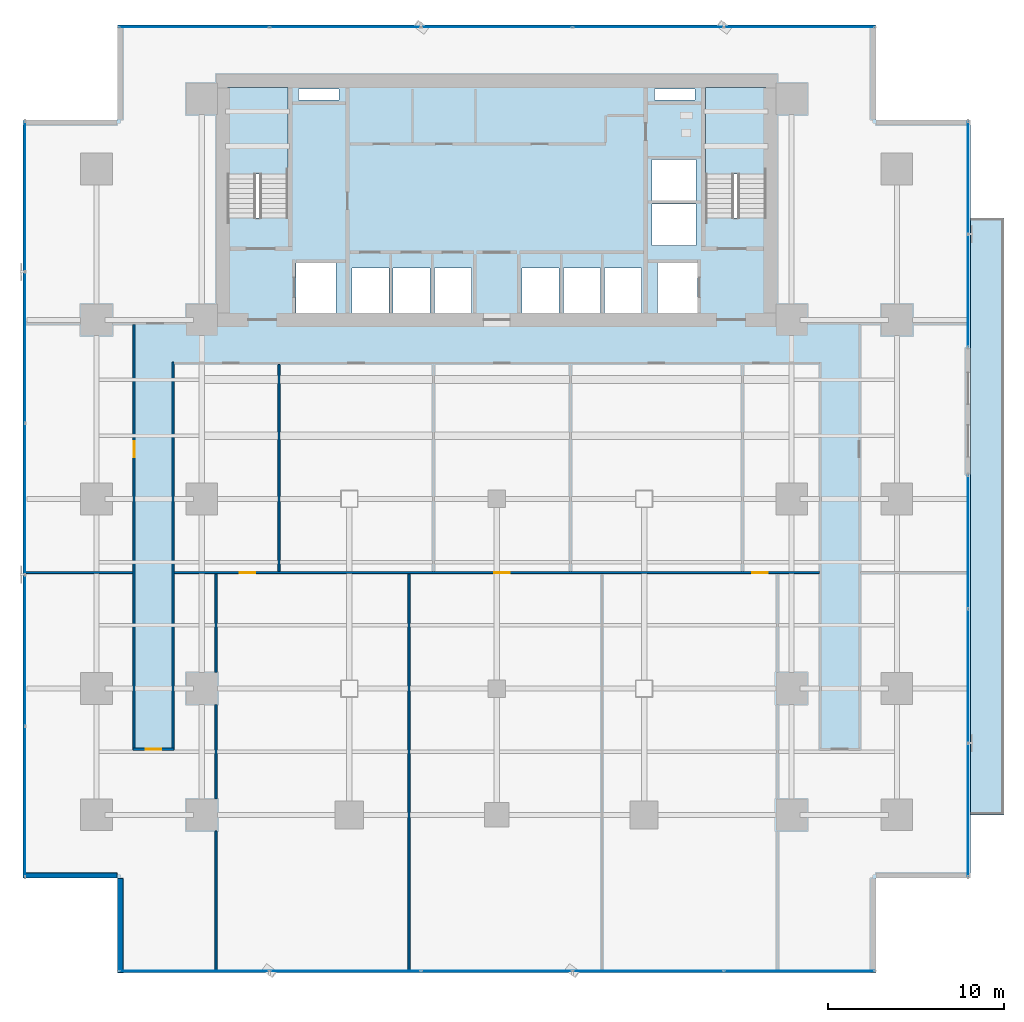
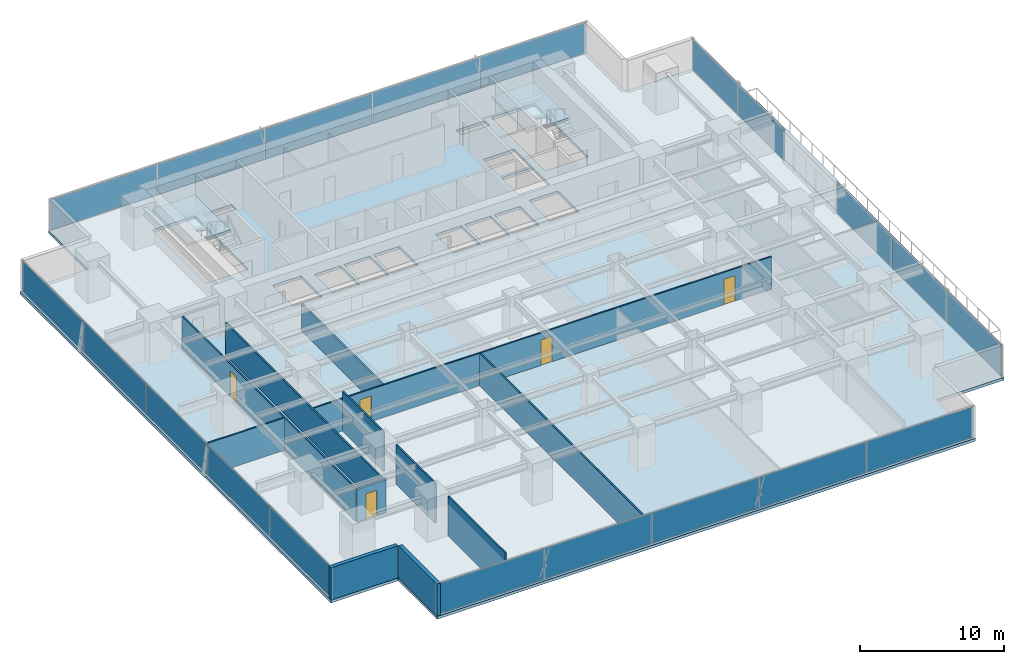
# One storey, part 24 of 33: 20 plates, 12 walls, 5 doors, 4 slabs, 5 openings, 7 elements without a shape of their own.
"""IFC4 building model written with IfcOpenShell, lengths in metres."""

from ifc_helpers import new_model, si_unit, direction, frame, frame_2d, origin, origin_2d, place, context, subcontext, project, spatial, polyline, rectangle, outline, extrude, source, transform, mapped, material, layer, layer_set, type_object, element, fill, aggregate, save


model = new_model("IFC4")

# Units and contexts
model_context = context("Model", 3, precision=1e-05, world=origin(), true_north=direction((0.0, 1.0)))
body_context = subcontext(model_context, "Body", "Model", "MODEL_VIEW")
ifc_project = project(units=[si_unit("LENGTHUNIT", "METRE"), si_unit("AREAUNIT", "SQUARE_METRE"), si_unit("VOLUMEUNIT", "CUBIC_METRE"), si_unit("PLANEANGLEUNIT", "RADIAN"), si_unit("MASSUNIT", "GRAM", prefix="KILO")], contexts=[model_context])

# Site, building, storey
site_placement = place(None, origin())
site = spatial("IfcSite", under=ifc_project, at=site_placement, CompositionType="ELEMENT")
building_placement = place(site_placement, origin())
building = spatial("IfcBuilding", under=site, at=building_placement, Name="Sumidabori Civic Tower", CompositionType="ELEMENT")
storey_placement = place(building_placement, frame((0.0, 0.0, 23.60009765625)))
storey = spatial("IfcBuildingStorey", under=building, at=storey_placement, Name="L05", CompositionType="ELEMENT", Elevation=23.60009765625)

# Stair, slab
ifc_material_1 = material(Name="Concrete C40/50", Category="concrete")
stair_type = type_object("IfcStairType", Name="ST-CORE-1600", PredefinedType="HALF_TURN_STAIR", material=ifc_material_1)
stair_1_placement = place(storey_placement, origin())
stair_1 = element("IfcStair", 1, at=stair_1_placement, inside=storey, type_object=stair_type, Name="L05 ST-1", PredefinedType="HALF_TURN_STAIR")
ifc_layer_1 = layer(ifc_material_1, 0.199951171875, Name="Concrete C40/50")
ifc_layer_set_1 = layer_set([ifc_layer_1], Name="Concrete C40/50")
slab_type_1 = type_object("IfcSlabType", Name="SL-LAND-200", PredefinedType="LANDING", material=ifc_layer_set_1)
slab_1_placement = place(storey_placement, frame((0.0, 0.0, 1.599853515625)))
slab_1 = element("IfcSlab", 2, at=slab_1_placement, type_object=slab_type_1, Name="ST-1 landing 1", PredefinedType="LANDING", context=body_context, shape_type="SweptSolid", body=[
    extrude(outline(polyline([(-11.89990234375, 18.52001953125), (-11.89990234375, 23.449951171875), (-15.340087890625, 23.449951171875), (-15.340087890625, 18.52001953125), (-11.89990234375, 18.52001953125)])), origin(), (0.0, 0.0, 1.0), 0.199951171875),
])
aggregate(stair_1, [slab_1])

stair_2_placement = place(storey_placement, origin())
stair_2 = element("IfcStair", 3, at=stair_2_placement, inside=storey, type_object=stair_type, Name="L05 ST-2", PredefinedType="HALF_TURN_STAIR")
slab_2_placement = place(storey_placement, frame((0.0, 0.0, 1.599853515625)))
slab_2 = element("IfcSlab", 4, at=slab_2_placement, type_object=slab_type_1, Name="ST-2 landing 1", PredefinedType="LANDING", context=body_context, shape_type="SweptSolid", body=[
    extrude(outline(polyline([(15.340087890625, 18.52001953125), (15.340087890625, 23.449951171875), (11.89990234375, 23.449951171875), (11.89990234375, 18.52001953125), (15.340087890625, 18.52001953125)])), origin(), (0.0, 0.0, 1.0), 0.199951171875),
])
aggregate(stair_2, [slab_2])

# Slabs
ifc_layer_2 = layer(ifc_material_1, 0.25, Name="Concrete C40/50")
ifc_layer_set_2 = layer_set([ifc_layer_2], Name="Concrete C40/50")
slab_type_2 = type_object("IfcSlabType", Name="SL-TER-250", PredefinedType="FLOOR", material=ifc_layer_set_2)
slab_3_placement = place(storey_placement, frame((0.0, 0.0, -0.25)))
element("IfcSlab", 5, at=slab_3_placement, inside=storey, type_object=slab_type_2, Name="Planted Podium Roof Terrace TER-L05-E", PredefinedType="FLOOR", context=body_context, shape_type="SweptSolid", body=[
    extrude(outline(polyline([(27.0, -18.0), (28.89990234375, -18.0), (28.89990234375, 16.0), (27.0, 16.0), (27.0, -18.0)])), origin(), (0.0, 0.0, 1.0), 0.25),
])
ifc_layer_3 = layer(ifc_material_1, 0.239990234375, Name="Concrete C40/50")
ifc_layer_set_3 = layer_set([ifc_layer_3], Name="Concrete C40/50")
slab_type_3 = type_object("IfcSlabType", Name="SL-Z1-240", PredefinedType="FLOOR", material=ifc_layer_set_3)
slab_4_placement = place(storey_placement, frame((0.0, 0.0, -0.239990234375)))
element("IfcSlab", 6, at=slab_4_placement, inside=storey, type_object=slab_type_3, Name="Structural Slab L05", PredefinedType="FLOOR", context=body_context, shape_type="SweptSolid", body=[
    extrude(outline(polyline([(-21.60009765625, -27.0), (21.60009765625, -27.0), (21.60009765625, -21.60009765625), (27.0, -21.60009765625), (27.0, 21.60009765625), (21.60009765625, 21.60009765625), (21.60009765625, 27.0), (-21.60009765625, 27.0), (-21.60009765625, 21.60009765625), (-27.0, 21.60009765625), (-27.0, -21.60009765625), (-21.60009765625, -21.60009765625), (-21.60009765625, -27.0)]), holes=[polyline([(-11.89990234375, 16.0), (-11.89990234375, 23.449951171875), (-15.340087890625, 23.449951171875), (-15.340087890625, 16.0), (-11.89990234375, 16.0)]), polyline([(15.340087890625, 16.0), (15.340087890625, 23.449951171875), (11.89990234375, 23.449951171875), (11.89990234375, 16.0), (15.340087890625, 16.0)]), polyline([(-11.449951171875, 10.550048828125), (-9.14990234375, 10.550048828125), (-9.14990234375, 13.449951171875), (-11.449951171875, 13.449951171875), (-11.449951171875, 10.550048828125)]), polyline([(9.14990234375, 10.550048828125), (11.449951171875, 10.550048828125), (11.449951171875, 13.449951171875), (9.14990234375, 13.449951171875), (9.14990234375, 10.550048828125)]), polyline([(-8.25, 10.550048828125), (-6.14990234375, 10.550048828125), (-6.14990234375, 13.14990234375), (-8.25, 13.14990234375), (-8.25, 10.550048828125)]), polyline([(-5.89990234375, 10.550048828125), (-3.800048828125, 10.550048828125), (-3.800048828125, 13.14990234375), (-5.89990234375, 13.14990234375), (-5.89990234375, 10.550048828125)]), polyline([(-3.550048828125, 10.550048828125), (-1.449951171875, 10.550048828125), (-1.449951171875, 13.14990234375), (-3.550048828125, 13.14990234375), (-3.550048828125, 10.550048828125)]), polyline([(1.449951171875, 10.550048828125), (3.550048828125, 10.550048828125), (3.550048828125, 13.14990234375), (1.449951171875, 13.14990234375), (1.449951171875, 10.550048828125)]), polyline([(3.800048828125, 10.550048828125), (5.89990234375, 10.550048828125), (5.89990234375, 13.14990234375), (3.800048828125, 13.14990234375), (3.800048828125, 10.550048828125)]), polyline([(6.14990234375, 10.550048828125), (8.25, 10.550048828125), (8.25, 13.14990234375), (6.14990234375, 13.14990234375), (6.14990234375, 10.550048828125)]), polyline([(8.85009765625, 14.449951171875), (11.35009765625, 14.449951171875), (11.35009765625, 16.800048828125), (8.85009765625, 16.800048828125), (8.85009765625, 14.449951171875)]), polyline([(8.85009765625, 17.0), (11.35009765625, 17.0), (11.35009765625, 19.35009765625), (8.85009765625, 19.35009765625), (8.85009765625, 17.0)]), polyline([(-11.300048828125, 22.719970703125), (-9.0, 22.719970703125), (-9.0, 23.35009765625), (-11.300048828125, 23.35009765625), (-11.300048828125, 22.719970703125)]), polyline([(9.0, 22.719970703125), (11.300048828125, 22.719970703125), (11.300048828125, 23.35009765625), (9.0, 23.35009765625), (9.0, 22.719970703125)])]), origin(), (0.0, 0.0, 1.0), 0.239990234375),
])

# Curtain wall, plates
ifc_material_2 = material(Name="Anodised Bronze Aluminium AW-6063-T6", Category="aluminium")
ifc_layer_4 = layer(ifc_material_2, 0.179931640625, Name="Anodised Bronze Aluminium AW-6063-T6")
ifc_layer_set_4 = layer_set([ifc_layer_4], Name="Anodised Bronze Aluminium AW-6063-T6")
curtain_wall_type = type_object("IfcCurtainWallType", Name="CW-SYS-2", PredefinedType="NOTDEFINED", material=ifc_layer_set_4)
curtain_wall_1_placement = place(storey_placement, origin())
curtain_wall_1 = element("IfcCurtainWall", 7, at=curtain_wall_1_placement, inside=storey, type_object=curtain_wall_type, Name="Curtain Wall CW:L05:R01", PredefinedType="NOTDEFINED")
ifc_material_3 = material(Name="Low-E Solar-Control Vision Glazing", Category="glass")
ifc_layer_5 = layer(ifc_material_3, 0.028076171875, Name="Low-E Solar-Control Vision Glazing")
ifc_layer_set_5 = layer_set([ifc_layer_5], Name="Low-E Solar-Control Vision Glazing")
plate_type = type_object("IfcPlateType", Name="CW-PNL-28", PredefinedType="CURTAIN_PANEL", material=ifc_layer_set_5)
shared_shape_1 = source(origin(), body_context, "Body", "SweptSolid", [
    extrude(rectangle(XDim=8.52294921875, YDim=0.028076171875, at=origin_2d()), origin(), (0.0, 0.0, 1.0), 2.610107421875),
])
plate_1_placement = place(storey_placement, frame((-17.238525390625, -26.8798828125, 0.06494140625), z_axis=(0.0, 0.0, 1.0), x_axis=(1.0, 0.0, 0.0)))
plate_1 = element("IfcPlate", 8, at=plate_1_placement, type_object=plate_type, Name="CW-2 panel 1.1", PredefinedType="CURTAIN_PANEL", context=body_context, shape_type="MappedRepresentation", body=[
    mapped(shared_shape_1, transform((0.0, 0.0, 0.0), x_axis=(1.0, 0.0, 0.0), y_axis=(0.0, 1.0, 0.0), z_axis=(0.0, 0.0, 1.0), scale=1.0)),
])
plate_2_placement = place(storey_placement, frame((17.238525390625, -26.8798828125, 0.06494140625), z_axis=(0.0, 0.0, 1.0), x_axis=(1.0, 0.0, 0.0)))
plate_2 = element("IfcPlate", 9, at=plate_2_placement, type_object=plate_type, Name="CW-2 panel 5.1", PredefinedType="CURTAIN_PANEL", context=body_context, shape_type="MappedRepresentation", body=[
    mapped(shared_shape_1, transform((0.0, 0.0, 0.0), x_axis=(1.0, 0.0, 0.0), y_axis=(0.0, 1.0, 0.0), z_axis=(0.0, 0.0, 1.0), scale=1.0)),
])

curtain_wall_2_placement = place(storey_placement, origin())
curtain_wall_2 = element("IfcCurtainWall", 10, at=curtain_wall_2_placement, inside=storey, type_object=curtain_wall_type, Name="Curtain Wall CW:L05:R08", PredefinedType="NOTDEFINED")
plate_3_placement = place(storey_placement, frame((17.238525390625, 26.8798828125, 0.06494140625), z_axis=(0.0, 0.0, 1.0), x_axis=(-1.0, 0.0, 0.0)))
plate_3 = element("IfcPlate", 11, at=plate_3_placement, type_object=plate_type, Name="CW-2 panel 1.1", PredefinedType="CURTAIN_PANEL", context=body_context, shape_type="MappedRepresentation", body=[
    mapped(shared_shape_1, transform((0.0, 0.0, 0.0), x_axis=(1.0, 0.0, 0.0), y_axis=(0.0, 1.0, 0.0), z_axis=(0.0, 0.0, 1.0), scale=1.0)),
])
plate_4_placement = place(storey_placement, frame((-17.238525390625, 26.8798828125, 0.06494140625), z_axis=(0.0, 0.0, 1.0), x_axis=(-1.0, 0.0, 0.0)))
plate_4 = element("IfcPlate", 12, at=plate_4_placement, type_object=plate_type, Name="CW-2 panel 5.1", PredefinedType="CURTAIN_PANEL", context=body_context, shape_type="MappedRepresentation", body=[
    mapped(shared_shape_1, transform((0.0, 0.0, 0.0), x_axis=(1.0, 0.0, 0.0), y_axis=(0.0, 1.0, 0.0), z_axis=(0.0, 0.0, 1.0), scale=1.0)),
])

curtain_wall_3_placement = place(storey_placement, origin())
curtain_wall_3 = element("IfcCurtainWall", 13, at=curtain_wall_3_placement, inside=storey, type_object=curtain_wall_type, Name="Curtain Wall CW:L05:R11", PredefinedType="NOTDEFINED")
plate_5_placement = place(storey_placement, frame((-26.8798828125, 17.238525390625, 0.06494140625), z_axis=(0.0, 0.0, 1.0), x_axis=(0.0, -1.0, 0.0)))
plate_5 = element("IfcPlate", 14, at=plate_5_placement, type_object=plate_type, Name="CW-2 panel 1.1", PredefinedType="CURTAIN_PANEL", context=body_context, shape_type="MappedRepresentation", body=[
    mapped(shared_shape_1, transform((0.0, 0.0, 0.0), x_axis=(1.0, 0.0, 0.0), y_axis=(0.0, 1.0, 0.0), z_axis=(0.0, 0.0, 1.0), scale=1.0)),
])
plate_6_placement = place(storey_placement, frame((-26.8798828125, -17.238525390625, 0.06494140625), z_axis=(0.0, 0.0, 1.0), x_axis=(0.0, -1.0, 0.0)))
plate_6 = element("IfcPlate", 15, at=plate_6_placement, type_object=plate_type, Name="CW-2 panel 5.1", PredefinedType="CURTAIN_PANEL", context=body_context, shape_type="MappedRepresentation", body=[
    mapped(shared_shape_1, transform((0.0, 0.0, 0.0), x_axis=(1.0, 0.0, 0.0), y_axis=(0.0, 1.0, 0.0), z_axis=(0.0, 0.0, 1.0), scale=1.0)),
])

# Plate
shared_shape_2 = source(origin(), body_context, "Body", "SweptSolid", [
    extrude(rectangle(XDim=8.55810546875, YDim=0.028076171875, at=origin_2d()), origin(), (0.0, 0.0, 1.0), 2.610107421875),
])
plate_7_placement = place(storey_placement, frame((-8.6279296875, -26.8798828125, 0.06494140625), z_axis=(0.0, 0.0, 1.0), x_axis=(1.0, 0.0, 0.0)))
plate_7 = element("IfcPlate", 16, at=plate_7_placement, type_object=plate_type, Name="CW-2 panel 2.1", PredefinedType="CURTAIN_PANEL", context=body_context, shape_type="MappedRepresentation", body=[
    mapped(shared_shape_2, transform((0.0, 0.0, 0.0), x_axis=(1.0, 0.0, 0.0), y_axis=(0.0, 1.0, 0.0), z_axis=(0.0, 0.0, 1.0), scale=1.0)),
])

plate_8_placement = place(storey_placement, frame((0.0, -26.8798828125, 0.06494140625), z_axis=(0.0, 0.0, 1.0), x_axis=(1.0, 0.0, 0.0)))
plate_8 = element("IfcPlate", 17, at=plate_8_placement, type_object=plate_type, Name="CW-2 panel 3.1", PredefinedType="CURTAIN_PANEL", context=body_context, shape_type="MappedRepresentation", body=[
    mapped(shared_shape_2, transform((0.0, 0.0, 0.0), x_axis=(1.0, 0.0, 0.0), y_axis=(0.0, 1.0, 0.0), z_axis=(0.0, 0.0, 1.0), scale=1.0)),
])

plate_9_placement = place(storey_placement, frame((8.6279296875, -26.8798828125, 0.06494140625), z_axis=(0.0, 0.0, 1.0), x_axis=(1.0, 0.0, 0.0)))
plate_9 = element("IfcPlate", 18, at=plate_9_placement, type_object=plate_type, Name="CW-2 panel 4.1", PredefinedType="CURTAIN_PANEL", context=body_context, shape_type="MappedRepresentation", body=[
    mapped(shared_shape_2, transform((0.0, 0.0, 0.0), x_axis=(1.0, 0.0, 0.0), y_axis=(0.0, 1.0, 0.0), z_axis=(0.0, 0.0, 1.0), scale=1.0)),
])

aggregate(curtain_wall_1, [plate_1, plate_7, plate_8, plate_9, plate_2])

plate_10_placement = place(storey_placement, frame((8.6279296875, 26.8798828125, 0.06494140625), z_axis=(0.0, 0.0, 1.0), x_axis=(-1.0, 0.0, 0.0)))
plate_10 = element("IfcPlate", 19, at=plate_10_placement, type_object=plate_type, Name="CW-2 panel 2.1", PredefinedType="CURTAIN_PANEL", context=body_context, shape_type="MappedRepresentation", body=[
    mapped(shared_shape_2, transform((0.0, 0.0, 0.0), x_axis=(1.0, 0.0, 0.0), y_axis=(0.0, 1.0, 0.0), z_axis=(0.0, 0.0, 1.0), scale=1.0)),
])

plate_11_placement = place(storey_placement, frame((0.0, 26.8798828125, 0.06494140625), z_axis=(0.0, 0.0, 1.0), x_axis=(-1.0, 0.0, 0.0)))
plate_11 = element("IfcPlate", 20, at=plate_11_placement, type_object=plate_type, Name="CW-2 panel 3.1", PredefinedType="CURTAIN_PANEL", context=body_context, shape_type="MappedRepresentation", body=[
    mapped(shared_shape_2, transform((0.0, 0.0, 0.0), x_axis=(1.0, 0.0, 0.0), y_axis=(0.0, 1.0, 0.0), z_axis=(0.0, 0.0, 1.0), scale=1.0)),
])

plate_12_placement = place(storey_placement, frame((-8.6279296875, 26.8798828125, 0.06494140625), z_axis=(0.0, 0.0, 1.0), x_axis=(-1.0, 0.0, 0.0)))
plate_12 = element("IfcPlate", 21, at=plate_12_placement, type_object=plate_type, Name="CW-2 panel 4.1", PredefinedType="CURTAIN_PANEL", context=body_context, shape_type="MappedRepresentation", body=[
    mapped(shared_shape_2, transform((0.0, 0.0, 0.0), x_axis=(1.0, 0.0, 0.0), y_axis=(0.0, 1.0, 0.0), z_axis=(0.0, 0.0, 1.0), scale=1.0)),
])

aggregate(curtain_wall_2, [plate_3, plate_10, plate_11, plate_12, plate_4])

plate_13_placement = place(storey_placement, frame((-26.8798828125, 8.6279296875, 0.06494140625), z_axis=(0.0, 0.0, 1.0), x_axis=(0.0, -1.0, 0.0)))
plate_13 = element("IfcPlate", 22, at=plate_13_placement, type_object=plate_type, Name="CW-2 panel 2.1", PredefinedType="CURTAIN_PANEL", context=body_context, shape_type="MappedRepresentation", body=[
    mapped(shared_shape_2, transform((0.0, 0.0, 0.0), x_axis=(1.0, 0.0, 0.0), y_axis=(0.0, 1.0, 0.0), z_axis=(0.0, 0.0, 1.0), scale=1.0)),
])

plate_14_placement = place(storey_placement, frame((-26.8798828125, 0.0, 0.06494140625), z_axis=(0.0, 0.0, 1.0), x_axis=(0.0, -1.0, 0.0)))
plate_14 = element("IfcPlate", 23, at=plate_14_placement, type_object=plate_type, Name="CW-2 panel 3.1", PredefinedType="CURTAIN_PANEL", context=body_context, shape_type="MappedRepresentation", body=[
    mapped(shared_shape_2, transform((0.0, 0.0, 0.0), x_axis=(1.0, 0.0, 0.0), y_axis=(0.0, 1.0, 0.0), z_axis=(0.0, 0.0, 1.0), scale=1.0)),
])

plate_15_placement = place(storey_placement, frame((-26.8798828125, -8.6279296875, 0.06494140625), z_axis=(0.0, 0.0, 1.0), x_axis=(0.0, -1.0, 0.0)))
plate_15 = element("IfcPlate", 24, at=plate_15_placement, type_object=plate_type, Name="CW-2 panel 4.1", PredefinedType="CURTAIN_PANEL", context=body_context, shape_type="MappedRepresentation", body=[
    mapped(shared_shape_2, transform((0.0, 0.0, 0.0), x_axis=(1.0, 0.0, 0.0), y_axis=(0.0, 1.0, 0.0), z_axis=(0.0, 0.0, 1.0), scale=1.0)),
])

aggregate(curtain_wall_3, [plate_5, plate_13, plate_14, plate_15, plate_6])

# Curtain wall, plates
curtain_wall_4_placement = place(storey_placement, origin())
curtain_wall_4 = element("IfcCurtainWall", 25, at=curtain_wall_4_placement, inside=storey, type_object=curtain_wall_type, Name="Curtain Wall CW:L05:R04", PredefinedType="NOTDEFINED")
shared_shape_3 = source(origin(), body_context, "Body", "SweptSolid", [
    extrude(rectangle(XDim=7.5517578125, YDim=0.028076171875, at=origin_2d()), origin(), (0.0, 0.0, 1.0), 2.610107421875),
])
plate_16_placement = place(storey_placement, frame((26.85009765625, -17.72412109375, 0.06494140625), z_axis=(0.0, 0.0, 1.0), x_axis=(0.0, 1.0, 0.0)))
plate_16 = element("IfcPlate", 26, at=plate_16_placement, type_object=plate_type, Name="CW-2 panel 1.1", PredefinedType="CURTAIN_PANEL", context=body_context, shape_type="MappedRepresentation", body=[
    mapped(shared_shape_3, transform((0.0, 0.0, 0.0), x_axis=(1.0, 0.0, 0.0), y_axis=(0.0, 1.0, 0.0), z_axis=(0.0, 0.0, 1.0), scale=1.0)),
])
plate_17_placement = place(storey_placement, frame((26.85009765625, -2.44580078125, 0.06494140625), z_axis=(0.0, 0.0, 1.0), x_axis=(0.0, 1.0, 0.0)))
plate_17 = element("IfcPlate", 27, at=plate_17_placement, type_object=plate_type, Name="CW-2 panel 3.1", PredefinedType="CURTAIN_PANEL", context=body_context, shape_type="MappedRepresentation", body=[
    mapped(shared_shape_3, transform((0.0, 0.0, 0.0), x_axis=(1.0, 0.0, 0.0), y_axis=(0.0, 1.0, 0.0), z_axis=(0.0, 0.0, 1.0), scale=1.0)),
])
shared_shape_4 = source(origin(), body_context, "Body", "SweptSolid", [
    extrude(rectangle(XDim=7.586669921875, YDim=0.028076171875, at=origin_2d()), origin(), (0.0, 0.0, 1.0), 2.610107421875),
])
plate_18_placement = place(storey_placement, frame((26.85009765625, -10.0849609375, 0.06494140625), z_axis=(0.0, 0.0, 1.0), x_axis=(0.0, 1.0, 0.0)))
plate_18 = element("IfcPlate", 28, at=plate_18_placement, type_object=plate_type, Name="CW-2 panel 2.1", PredefinedType="CURTAIN_PANEL", context=body_context, shape_type="MappedRepresentation", body=[
    mapped(shared_shape_4, transform((0.0, 0.0, 0.0), x_axis=(1.0, 0.0, 0.0), y_axis=(0.0, 1.0, 0.0), z_axis=(0.0, 0.0, 1.0), scale=1.0)),
])
aggregate(curtain_wall_4, [plate_16, plate_18, plate_17])

curtain_wall_5_placement = place(storey_placement, origin())
curtain_wall_5 = element("IfcCurtainWall", 29, at=curtain_wall_5_placement, inside=storey, type_object=curtain_wall_type, Name="Curtain Wall CW:L05:R05", PredefinedType="NOTDEFINED")
shared_shape_5 = source(origin(), body_context, "Body", "SweptSolid", [
    extrude(rectangle(XDim=6.3798828125, YDim=0.028076171875, at=origin_2d()), origin(), (0.0, 0.0, 1.0), 2.610107421875),
])
plate_19_placement = place(storey_placement, frame((26.85009765625, 11.860107421875, 0.06494140625), z_axis=(0.0, 0.0, 1.0), x_axis=(0.0, 1.0, 0.0)))
plate_19 = element("IfcPlate", 30, at=plate_19_placement, type_object=plate_type, Name="CW-2 panel 1.1", PredefinedType="CURTAIN_PANEL", context=body_context, shape_type="MappedRepresentation", body=[
    mapped(shared_shape_5, transform((0.0, 0.0, 0.0), x_axis=(1.0, 0.0, 0.0), y_axis=(0.0, 1.0, 0.0), z_axis=(0.0, 0.0, 1.0), scale=1.0)),
])
plate_20_placement = place(storey_placement, frame((26.85009765625, 18.31005859375, 0.06494140625), z_axis=(0.0, 0.0, 1.0), x_axis=(0.0, 1.0, 0.0)))
plate_20 = element("IfcPlate", 31, at=plate_20_placement, type_object=plate_type, Name="CW-2 panel 2.1", PredefinedType="CURTAIN_PANEL", context=body_context, shape_type="MappedRepresentation", body=[
    mapped(shared_shape_5, transform((0.0, 0.0, 0.0), x_axis=(1.0, 0.0, 0.0), y_axis=(0.0, 1.0, 0.0), z_axis=(0.0, 0.0, 1.0), scale=1.0)),
])
aggregate(curtain_wall_5, [plate_19, plate_20])

# Walls
ifc_material_4 = material(Name="Precast concrete C40/50", Category="concrete")
ifc_layer_6 = layer(ifc_material_4, 0.300048828125, Name="Precast concrete C40/50")
ifc_layer_set_6 = layer_set([ifc_layer_6], Name="Precast concrete C40/50")
wall_type_1 = type_object("IfcWallType", Name="WL-EXT-POD300", PredefinedType="STANDARD", material=ifc_layer_set_6)
shared_shape_6 = source(origin(), body_context, "Body", "SweptSolid", [
    extrude(rectangle(XDim=5.35986328125, YDim=0.300048828125, at=frame_2d((2.679931640625, 0.0))), origin(), (0.0, 0.0, 1.0), 2.739990234375),
])
for number, where, z_axis, x_axis, name in (
    (32, (-26.97998046875, -21.449951171875, 0.0), (0.0, 0.0, 1.0), (1.0, 0.0, 0.0), "Notched Corner Spandrel Band L05-12"),
    (33, (-21.449951171875, -21.6201171875, 0.0), (0.0, 0.0, 1.0), (0.0, -1.0, 0.0), "Notched Corner Spandrel Band L05-13"),
):
    element("IfcWall", number, at=place(storey_placement, frame(where, z_axis=z_axis, x_axis=x_axis)), inside=storey, type_object=wall_type_1, Name=name, PredefinedType="STANDARD", context=body_context, shape_type="MappedRepresentation", body=[
        mapped(shared_shape_6, transform((0.0, 0.0, 0.0), x_axis=(1.0, 0.0, 0.0), y_axis=(0.0, 1.0, 0.0), z_axis=(0.0, 0.0, 1.0), scale=1.0)),
    ])

# Wall, opening, door
ifc_material_5 = material(Name="Gypsum Plasterboard Acoustic Partition")
ifc_layer_7 = layer(ifc_material_5, 0.1201171875, Name="Gypsum Plasterboard Acoustic Partition")
ifc_layer_set_7 = layer_set([ifc_layer_7], Name="Gypsum Plasterboard Acoustic Partition")
wall_type_2 = type_object("IfcWallType", Name="WL-PART-120", PredefinedType="PARTITIONING", material=ifc_layer_set_7)
shared_shape_7 = source(origin(), body_context, "Body", "SweptSolid", [
    extrude(rectangle(XDim=2.340087890625, YDim=0.1201171875, at=frame_2d((1.169921875, 0.0))), origin(), (0.0, 0.0, 1.0), 2.89501953125),
])
wall_1_placement = place(storey_placement, frame((-20.719970703125, -14.260009765625, 0.0), z_axis=(0.0, 0.0, 1.0), x_axis=(1.0, 0.0, 0.0)))
wall_1 = element("IfcWall", 34, at=wall_1_placement, inside=storey, type_object=wall_type_2, Name="Interior Partition WL:L05:CORR-CAP-W", PredefinedType="PARTITIONING", context=body_context, shape_type="MappedRepresentation", body=[
    mapped(shared_shape_7, transform((0.0, 0.0, 0.0), x_axis=(1.0, 0.0, 0.0), y_axis=(0.0, 1.0, 0.0), z_axis=(0.0, 0.0, 1.0), scale=1.0)),
])
opening_1_placement = place(wall_1_placement, frame((0.719970703125, 0.0, 0.0)))
opening_1 = element("IfcOpeningElement", 35, at=opening_1_placement, cuts=wall_1, Name="Opening DR-1", PredefinedType="OPENING", context=body_context, shape_type="SweptSolid", body=[
    extrude(rectangle(XDim=0.89990234375, YDim=2.14990234375, at=frame_2d((0.449951171875, 1.074951171875))), frame((0.0, 0.072021484375, 0.0), z_axis=(0.0, -1.0, 0.0), x_axis=(1.0, 0.0, 0.0)), (0.0, 0.0, 1.0), 0.14404296875),
])
ifc_material_6 = material(Name="Japanese Hinoki Timber", Category="wood")
door_type = type_object("IfcDoorType", Name="DR-INT-900", OperationType="NOTDEFINED", PredefinedType="DOOR", material=ifc_material_6)
shared_shape_8 = source(origin(), body_context, "Body", "SweptSolid", [
    extrude(rectangle(XDim=0.89990234375, YDim=2.14990234375, at=frame_2d((0.449951171875, 1.074951171875))), frame((0.0, 0.02490234375, 0.0), z_axis=(0.0, -1.0, 0.0), x_axis=(1.0, 0.0, 0.0)), (0.0, 0.0, 1.0), 0.050048828125),
])
door_1_placement = place(opening_1_placement, origin())
door_1 = element("IfcDoor", 36, at=door_1_placement, inside=storey, type_object=door_type, Name="Door DR:L05:D09", OperationType="SINGLE_SWING_LEFT", OverallHeight=2.14990234375, OverallWidth=0.89990234375, PredefinedType="DOOR", context=body_context, shape_type="MappedRepresentation", body=[
    mapped(shared_shape_8, transform((0.0, 0.0, 0.0), x_axis=(1.0, 0.0, 0.0), y_axis=(0.0, 1.0, 0.0), z_axis=(0.0, 0.0, 1.0), scale=1.0)),
])
fill(opening_1, door_1)

shared_shape_9 = source(origin(), body_context, "Body", "SweptSolid", [
    extrude(rectangle(XDim=24.130126953125, YDim=0.1201171875, at=frame_2d((12.06494140625, 0.0))), origin(), (0.0, 0.0, 1.0), 2.744873046875),
])
wall_2_placement = place(storey_placement, frame((-20.659912109375, -14.195068359375, 0.0), z_axis=(0.0, 0.0, 1.0), x_axis=(0.0, 1.0, 0.0)))
wall_2 = element("IfcWall", 37, at=wall_2_placement, inside=storey, type_object=wall_type_2, Name="Interior Partition WL:L05:CORR-VW-OUT", PredefinedType="PARTITIONING", context=body_context, shape_type="MappedRepresentation", body=[
    mapped(shared_shape_9, transform((0.0, 0.0, 0.0), x_axis=(1.0, 0.0, 0.0), y_axis=(0.0, 1.0, 0.0), z_axis=(0.0, 0.0, 1.0), scale=1.0)),
])
opening_2_placement = place(wall_2_placement, frame((16.58251953125, 0.0, 0.0)))
opening_2 = element("IfcOpeningElement", 38, at=opening_2_placement, cuts=wall_2, Name="Opening DR-1", PredefinedType="OPENING", context=body_context, shape_type="SweptSolid", body=[
    extrude(rectangle(XDim=0.89990234375, YDim=2.14990234375, at=frame_2d((0.449951171875, 1.074951171875))), frame((0.0, 0.072021484375, 0.0), z_axis=(0.0, -1.0, 0.0), x_axis=(1.0, 0.0, 0.0)), (0.0, 0.0, 1.0), 0.14404296875),
])
door_2_placement = place(opening_2_placement, origin())
door_2 = element("IfcDoor", 39, at=door_2_placement, inside=storey, type_object=door_type, Name="Door DR:L05:D02", OperationType="SINGLE_SWING_RIGHT", OverallHeight=2.14990234375, OverallWidth=0.89990234375, PredefinedType="DOOR", context=body_context, shape_type="MappedRepresentation", body=[
    mapped(shared_shape_8, transform((0.0, 0.0, 0.0), x_axis=(1.0, 0.0, 0.0), y_axis=(0.0, 1.0, 0.0), z_axis=(0.0, 0.0, 1.0), scale=1.0)),
])
fill(opening_2, door_2)

# Walls
shared_shape_10 = source(origin(), body_context, "Body", "SweptSolid", [
    extrude(rectangle(XDim=21.9951171875, YDim=0.1201171875, at=frame_2d((10.99755859375, 0.0))), origin(), (0.0, 0.0, 1.0), 2.744873046875),
])
wall_3_placement = place(storey_placement, frame((-18.43994140625, -14.195068359375, 0.0), z_axis=(0.0, 0.0, 1.0), x_axis=(0.0, 1.0, 0.0)))
element("IfcWall", 40, at=wall_3_placement, inside=storey, type_object=wall_type_2, Name="Interior Partition WL:L05:CORR-VW-IN", PredefinedType="PARTITIONING", context=body_context, shape_type="MappedRepresentation", body=[
    mapped(shared_shape_10, transform((0.0, 0.0, 0.0), x_axis=(1.0, 0.0, 0.0), y_axis=(0.0, 1.0, 0.0), z_axis=(0.0, 0.0, 1.0), scale=1.0)),
])
shared_shape_11 = source(origin(), body_context, "Body", "SweptSolid", [
    extrude(rectangle(XDim=6.125, YDim=0.1201171875, at=frame_2d((3.0625, 0.0))), origin(), (0.0, 0.0, 1.0), 2.744873046875),
])
wall_4_placement = place(storey_placement, frame((-26.85009765625, -4.199951171875, 0.0), z_axis=(0.0, 0.0, 1.0), x_axis=(1.0, 0.0, 0.0)))
element("IfcWall", 41, at=wall_4_placement, inside=storey, type_object=wall_type_2, Name="Interior Partition WL:L05:BAND-Y-1", PredefinedType="PARTITIONING", context=body_context, shape_type="MappedRepresentation", body=[
    mapped(shared_shape_11, transform((0.0, 0.0, 0.0), x_axis=(1.0, 0.0, 0.0), y_axis=(0.0, 1.0, 0.0), z_axis=(0.0, 0.0, 1.0), scale=1.0)),
])

# Wall, openings, doors
shared_shape_12 = source(origin(), body_context, "Body", "SweptSolid", [
    extrude(rectangle(XDim=36.75, YDim=0.1201171875, at=frame_2d((18.375, 0.0))), origin(), (0.0, 0.0, 1.0), 2.744873046875),
])
wall_5_placement = place(storey_placement, frame((-18.375, -4.199951171875, 0.0), z_axis=(0.0, 0.0, 1.0), x_axis=(1.0, 0.0, 0.0)))
wall_5 = element("IfcWall", 42, at=wall_5_placement, inside=storey, type_object=wall_type_2, Name="Interior Partition WL:L05:BAND-Y-2", PredefinedType="PARTITIONING", context=body_context, shape_type="MappedRepresentation", body=[
    mapped(shared_shape_12, transform((0.0, 0.0, 0.0), x_axis=(1.0, 0.0, 0.0), y_axis=(0.0, 1.0, 0.0), z_axis=(0.0, 0.0, 1.0), scale=1.0)),
])
opening_3_placement = place(wall_5_placement, frame((3.72509765625, 0.0, 0.0)))
opening_3 = element("IfcOpeningElement", 43, at=opening_3_placement, cuts=wall_5, Name="Opening DR-1", PredefinedType="OPENING", context=body_context, shape_type="SweptSolid", body=[
    extrude(rectangle(XDim=0.89990234375, YDim=2.14990234375, at=frame_2d((0.449951171875, 1.074951171875))), frame((0.0, 0.072021484375, 0.0), z_axis=(0.0, -1.0, 0.0), x_axis=(1.0, 0.0, 0.0)), (0.0, 0.0, 1.0), 0.14404296875),
])
opening_4_placement = place(wall_5_placement, frame((18.22509765625, 0.0, 0.0)))
opening_4 = element("IfcOpeningElement", 44, at=opening_4_placement, cuts=wall_5, Name="Opening DR-1", PredefinedType="OPENING", context=body_context, shape_type="SweptSolid", body=[
    extrude(rectangle(XDim=0.89990234375, YDim=2.14990234375, at=frame_2d((0.449951171875, 1.074951171875))), frame((0.0, 0.072021484375, 0.0), z_axis=(0.0, -1.0, 0.0), x_axis=(1.0, 0.0, 0.0)), (0.0, 0.0, 1.0), 0.14404296875),
])
opening_5_placement = place(wall_5_placement, frame((32.925048828125, 0.0, 0.0)))
opening_5 = element("IfcOpeningElement", 45, at=opening_5_placement, cuts=wall_5, Name="Opening DR-1", PredefinedType="OPENING", context=body_context, shape_type="SweptSolid", body=[
    extrude(rectangle(XDim=0.89990234375, YDim=2.14990234375, at=frame_2d((0.449951171875, 1.074951171875))), frame((0.0, 0.072021484375, 0.0), z_axis=(0.0, -1.0, 0.0), x_axis=(1.0, 0.0, 0.0)), (0.0, 0.0, 1.0), 0.14404296875),
])
door_3_placement = place(opening_3_placement, origin())
door_3 = element("IfcDoor", 46, at=door_3_placement, inside=storey, type_object=door_type, Name="Door DR:L05:D11", OperationType="SINGLE_SWING_LEFT", OverallHeight=2.14990234375, OverallWidth=0.89990234375, PredefinedType="DOOR", context=body_context, shape_type="MappedRepresentation", body=[
    mapped(shared_shape_8, transform((0.0, 0.0, 0.0), x_axis=(1.0, 0.0, 0.0), y_axis=(0.0, 1.0, 0.0), z_axis=(0.0, 0.0, 1.0), scale=1.0)),
])
fill(opening_3, door_3)
door_4_placement = place(opening_4_placement, origin())
door_4 = element("IfcDoor", 47, at=door_4_placement, inside=storey, type_object=door_type, Name="Door DR:L05:D12", OperationType="SINGLE_SWING_RIGHT", OverallHeight=2.14990234375, OverallWidth=0.89990234375, PredefinedType="DOOR", context=body_context, shape_type="MappedRepresentation", body=[
    mapped(shared_shape_8, transform((0.0, 0.0, 0.0), x_axis=(1.0, 0.0, 0.0), y_axis=(0.0, 1.0, 0.0), z_axis=(0.0, 0.0, 1.0), scale=1.0)),
])
fill(opening_4, door_4)
door_5_placement = place(opening_5_placement, origin())
door_5 = element("IfcDoor", 48, at=door_5_placement, inside=storey, type_object=door_type, Name="Door DR:L05:D13", OperationType="SINGLE_SWING_LEFT", OverallHeight=2.14990234375, OverallWidth=0.89990234375, PredefinedType="DOOR", context=body_context, shape_type="MappedRepresentation", body=[
    mapped(shared_shape_8, transform((0.0, 0.0, 0.0), x_axis=(1.0, 0.0, 0.0), y_axis=(0.0, 1.0, 0.0), z_axis=(0.0, 0.0, 1.0), scale=1.0)),
])
fill(opening_5, door_5)

# Walls
shared_shape_13 = source(origin(), body_context, "Body", "SweptSolid", [
    extrude(rectangle(XDim=11.81005859375, YDim=0.1201171875, at=frame_2d((5.905029296875, 0.0))), origin(), (0.0, 0.0, 1.0), 2.30078125),
])
wall_6_placement = place(storey_placement, frame((-12.39990234375, -4.135009765625, 0.0), z_axis=(0.0, 0.0, 1.0), x_axis=(0.0, 1.0, 0.0)))
element("IfcWall", 49, at=wall_6_placement, inside=storey, type_object=wall_type_2, Name="Interior Partition WL:L05:VX-N2", PredefinedType="PARTITIONING", context=body_context, shape_type="MappedRepresentation", body=[
    mapped(shared_shape_13, transform((0.0, 0.0, 0.0), x_axis=(1.0, 0.0, 0.0), y_axis=(0.0, 1.0, 0.0), z_axis=(0.0, 0.0, 1.0), scale=1.0)),
])
shared_shape_14 = source(origin(), body_context, "Body", "SweptSolid", [
    extrude(rectangle(XDim=7.940185546875, YDim=0.1201171875, at=frame_2d((3.97021484375, 0.0))), origin(), (0.0, 0.0, 1.0), 3.35986328125),
])
wall_7_placement = place(storey_placement, frame((-16.0, -26.85009765625, 0.0), z_axis=(0.0, 0.0, 1.0), x_axis=(0.0, 1.0, 0.0)))
element("IfcWall", 50, at=wall_7_placement, inside=storey, type_object=wall_type_2, Name="Interior Partition WL:L05:VX-S1-1", PredefinedType="PARTITIONING", context=body_context, shape_type="MappedRepresentation", body=[
    mapped(shared_shape_14, transform((0.0, 0.0, 0.0), x_axis=(1.0, 0.0, 0.0), y_axis=(0.0, 1.0, 0.0), z_axis=(0.0, 0.0, 1.0), scale=1.0)),
])
shared_shape_15 = source(origin(), body_context, "Body", "SweptSolid", [
    extrude(rectangle(XDim=5.380126953125, YDim=0.1201171875, at=frame_2d((2.68994140625, 0.0))), origin(), (0.0, 0.0, 1.0), 3.35986328125),
])
wall_8_placement = place(storey_placement, frame((-16.0, -17.090087890625, 0.0), z_axis=(0.0, 0.0, 1.0), x_axis=(0.0, 1.0, 0.0)))
element("IfcWall", 51, at=wall_8_placement, inside=storey, type_object=wall_type_2, Name="Interior Partition WL:L05:VX-S1-2", PredefinedType="PARTITIONING", context=body_context, shape_type="MappedRepresentation", body=[
    mapped(shared_shape_15, transform((0.0, 0.0, 0.0), x_axis=(1.0, 0.0, 0.0), y_axis=(0.0, 1.0, 0.0), z_axis=(0.0, 0.0, 1.0), scale=1.0)),
])
shared_shape_16 = source(origin(), body_context, "Body", "SweptSolid", [
    extrude(rectangle(XDim=5.625, YDim=0.1201171875, at=frame_2d((2.8125, 0.0))), origin(), (0.0, 0.0, 1.0), 3.35986328125),
])
wall_9_placement = place(storey_placement, frame((-16.0, -9.889892578125, 0.0), z_axis=(0.0, 0.0, 1.0), x_axis=(0.0, 1.0, 0.0)))
element("IfcWall", 52, at=wall_9_placement, inside=storey, type_object=wall_type_2, Name="Interior Partition WL:L05:VX-S1-3", PredefinedType="PARTITIONING", context=body_context, shape_type="MappedRepresentation", body=[
    mapped(shared_shape_16, transform((0.0, 0.0, 0.0), x_axis=(1.0, 0.0, 0.0), y_axis=(0.0, 1.0, 0.0), z_axis=(0.0, 0.0, 1.0), scale=1.0)),
])
shared_shape_17 = source(origin(), body_context, "Body", "SweptSolid", [
    extrude(rectangle(XDim=22.585205078125, YDim=0.1201171875, at=frame_2d((11.29248046875, 0.0))), origin(), (0.0, 0.0, 1.0), 2.744873046875),
])
wall_10_placement = place(storey_placement, frame((-5.0, -26.85009765625, 0.0), z_axis=(0.0, 0.0, 1.0), x_axis=(0.0, 1.0, 0.0)))
element("IfcWall", 53, at=wall_10_placement, inside=storey, type_object=wall_type_2, Name="Interior Partition WL:L05:VX-S2", PredefinedType="PARTITIONING", context=body_context, shape_type="MappedRepresentation", body=[
    mapped(shared_shape_17, transform((0.0, 0.0, 0.0), x_axis=(1.0, 0.0, 0.0), y_axis=(0.0, 1.0, 0.0), z_axis=(0.0, 0.0, 1.0), scale=1.0)),
])

save(model, "model.ifc")
